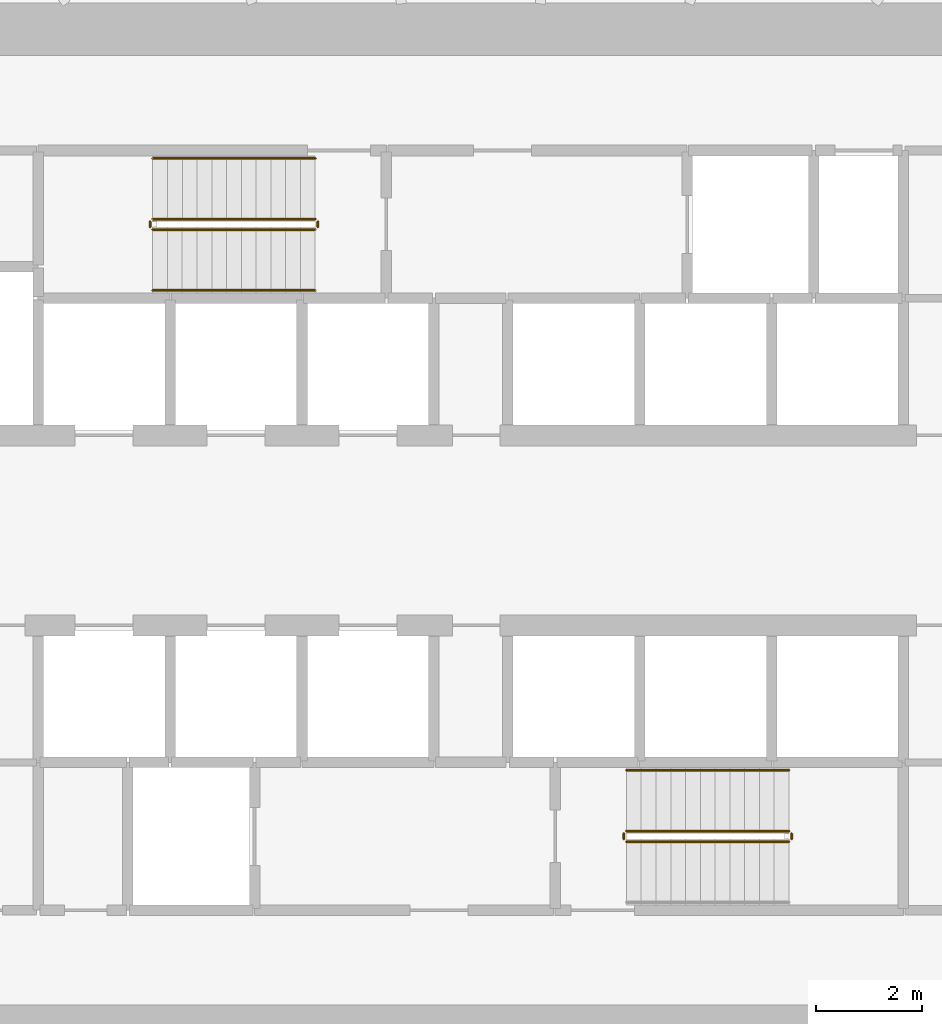
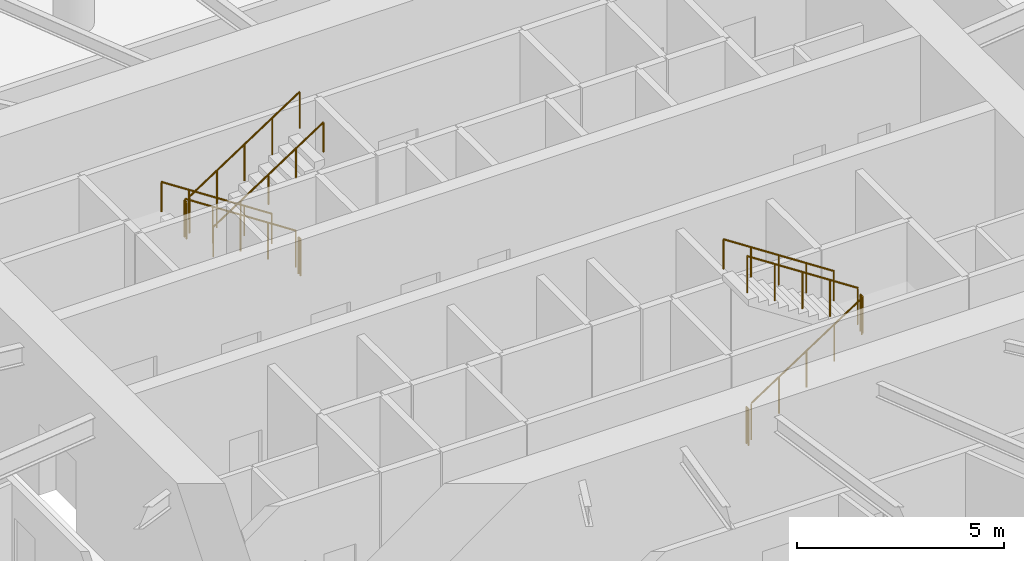
# One storey, part 17 of 18: 11 railings.
"""IFC4 building model written with IfcOpenShell, lengths in metres."""

from ifc_helpers import new_model, si_unit, direction, frame, origin, origin_2d, place, context, subcontext, project, spatial, circle, extrude, material, type_object, element, save


model = new_model("IFC4")

# Units and contexts
model_context = context("Model", 3, precision=1e-05, world=origin(), true_north=direction((0.0, 1.0)))
body_context = subcontext(model_context, "Body", "Model", "MODEL_VIEW")
ifc_project = project(units=[si_unit("LENGTHUNIT", "METRE"), si_unit("AREAUNIT", "SQUARE_METRE"), si_unit("VOLUMEUNIT", "CUBIC_METRE"), si_unit("PLANEANGLEUNIT", "RADIAN"), si_unit("MASSUNIT", "GRAM", prefix="KILO")], contexts=[model_context])

# Site, building, storey
site_placement = place(None, origin())
site = spatial("IfcSite", under=ifc_project, at=site_placement, CompositionType="ELEMENT")
building_placement = place(site_placement, origin())
building = spatial("IfcBuilding", under=site, at=building_placement, Name="Spindrift Exchange Tower", CompositionType="ELEMENT")
storey_placement = place(building_placement, frame((0.0, 0.0, 62.199951171875)))
storey = spatial("IfcBuildingStorey", under=building, at=storey_placement, Name="L14", CompositionType="ELEMENT", Elevation=62.199951171875)

# Railings
ifc_material_1 = material(Name="Steel balustrade", Category="steel")
railing_type_1 = type_object("IfcRailingType", Name="RL-STAIR-GUARD", PredefinedType="GUARDRAIL", material=ifc_material_1)
railing_1_placement = place(storey_placement, frame((49.050048828125, 53.89990234375, 0.183349609375)))
element("IfcRailing", 1, at=railing_1_placement, inside=storey, type_object=railing_type_1, Name="L14 ST1 stair guard 1", PredefinedType="GUARDRAIL", context=body_context, shape_type="SweptSolid", body=[
    extrude(circle(Radius=0.02392578125, at=origin_2d()), frame((0.0, 0.0, 1.076171875), z_axis=(-0.836633000464, 0.0, 0.547763838287), x_axis=(0.0, -1.0, 0.0)), (0.0, 0.0, 1.0), 3.681396484375),
    extrude(circle(Radius=0.02099609375, at=origin_2d()), origin(), (0.0, 0.0, 1.0), 1.052001953125),
    extrude(circle(Radius=0.02099609375, at=origin_2d()), frame((-0.77001953125, 0.0, 0.504150390625)), (0.0, 0.0, 1.0), 1.052001953125),
    extrude(circle(Radius=0.02099609375, at=origin_2d()), frame((-1.5400390625, 0.0, 1.00830078125)), (0.0, 0.0, 1.0), 1.052001953125),
    extrude(circle(Radius=0.02099609375, at=origin_2d()), frame((-2.31005859375, 0.0, 1.512451171875)), (0.0, 0.0, 1.0), 1.052001953125),
    extrude(circle(Radius=0.02099609375, at=origin_2d()), frame((-3.080078125, 0.0, 2.0166015625)), (0.0, 0.0, 1.0), 1.052001953125),
])
railing_2_placement = place(storey_placement, frame((45.919921875, 53.85009765625, 2.199951171875)))
element("IfcRailing", 2, at=railing_2_placement, inside=storey, type_object=railing_type_1, Name="L14 ST1 stair guard 2", PredefinedType="GUARDRAIL", context=body_context, shape_type="SweptSolid", body=[
    extrude(circle(Radius=0.02392578125, at=origin_2d()), frame((0.0, 0.0, 1.076171875), z_axis=(0.0, -1.0, 0.0), x_axis=(1.0, 0.0, 0.0)), (0.0, 0.0, 1.0), 0.10009765625),
    extrude(circle(Radius=0.02099609375, at=origin_2d()), origin(), (0.0, 0.0, 1.0), 1.052001953125),
    extrude(circle(Radius=0.02099609375, at=origin_2d()), frame((0.0, -0.10009765625, 0.0)), (0.0, 0.0, 1.0), 1.052001953125),
])
railing_3_placement = place(storey_placement, frame((45.969970703125, 53.699951171875, 2.38330078125)))
element("IfcRailing", 3, at=railing_3_placement, inside=storey, type_object=railing_type_1, Name="L14 ST1 stair guard 3", PredefinedType="GUARDRAIL", context=body_context, shape_type="SweptSolid", body=[
    extrude(circle(Radius=0.02392578125, at=origin_2d()), frame((0.0, 0.0, 1.076171875), z_axis=(0.836602609513, 0.0, 0.547810253423), x_axis=(0.0, 1.0, 0.0)), (0.0, 0.0, 1.0), 3.681640625),
    extrude(circle(Radius=0.02099609375, at=origin_2d()), origin(), (0.0, 0.0, 1.0), 1.052001953125),
    extrude(circle(Radius=0.02099609375, at=origin_2d()), frame((0.77001953125, 0.0, 0.504150390625)), (0.0, 0.0, 1.0), 1.052001953125),
    extrude(circle(Radius=0.02099609375, at=origin_2d()), frame((1.5400390625, 0.0, 1.00830078125)), (0.0, 0.0, 1.0), 1.052001953125),
    extrude(circle(Radius=0.02099609375, at=origin_2d()), frame((2.31005859375, 0.0, 1.5126953125)), (0.0, 0.0, 1.0), 1.052001953125),
    extrude(circle(Radius=0.02099609375, at=origin_2d()), frame((3.080078125, 0.0, 2.016845703125)), (0.0, 0.0, 1.0), 1.052001953125),
])
railing_4_placement = place(storey_placement, frame((49.10009765625, 53.85009765625, 0.0)))
element("IfcRailing", 4, at=railing_4_placement, inside=storey, type_object=railing_type_1, Name="L14 ST1 stair guard 4", PredefinedType="GUARDRAIL", context=body_context, shape_type="SweptSolid", body=[
    extrude(circle(Radius=0.02392578125, at=origin_2d()), frame((0.0, 0.0, 1.076171875), z_axis=(0.0, -1.0, 0.0), x_axis=(1.0, 0.0, 0.0)), (0.0, 0.0, 1.0), 0.10009765625),
    extrude(circle(Radius=0.02099609375, at=origin_2d()), origin(), (0.0, 0.0, 1.0), 1.052001953125),
    extrude(circle(Radius=0.02099609375, at=origin_2d()), frame((0.0, -0.10009765625, 0.0)), (0.0, 0.0, 1.0), 1.052001953125),
])
railing_5_placement = place(storey_placement, frame((54.949951171875, 42.10009765625, 0.183349609375)))
element("IfcRailing", 5, at=railing_5_placement, inside=storey, type_object=railing_type_1, Name="L14 ST2 stair guard 1", PredefinedType="GUARDRAIL", context=body_context, shape_type="SweptSolid", body=[
    extrude(circle(Radius=0.02392578125, at=origin_2d()), frame((0.0, 0.0, 1.076171875), z_axis=(0.836633000464, 0.0, 0.547763838287), x_axis=(0.0, 1.0, 0.0)), (0.0, 0.0, 1.0), 3.681396484375),
    extrude(circle(Radius=0.02099609375, at=origin_2d()), origin(), (0.0, 0.0, 1.0), 1.052001953125),
    extrude(circle(Radius=0.02099609375, at=origin_2d()), frame((0.77001953125, 0.0, 0.504150390625)), (0.0, 0.0, 1.0), 1.052001953125),
    extrude(circle(Radius=0.02099609375, at=origin_2d()), frame((1.5400390625, 0.0, 1.00830078125)), (0.0, 0.0, 1.0), 1.052001953125),
    extrude(circle(Radius=0.02099609375, at=origin_2d()), frame((2.31005859375, 0.0, 1.512451171875)), (0.0, 0.0, 1.0), 1.052001953125),
    extrude(circle(Radius=0.02099609375, at=origin_2d()), frame((3.080078125, 0.0, 2.0166015625)), (0.0, 0.0, 1.0), 1.052001953125),
])
railing_6_placement = place(storey_placement, frame((58.080078125, 42.14990234375, 2.199951171875)))
element("IfcRailing", 6, at=railing_6_placement, inside=storey, type_object=railing_type_1, Name="L14 ST2 stair guard 2", PredefinedType="GUARDRAIL", context=body_context, shape_type="SweptSolid", body=[
    extrude(circle(Radius=0.02392578125, at=origin_2d()), frame((0.0, 0.0, 1.076171875), z_axis=(0.0, 1.0, 0.0), x_axis=(-1.0, 0.0, 0.0)), (0.0, 0.0, 1.0), 0.10009765625),
    extrude(circle(Radius=0.02099609375, at=origin_2d()), origin(), (0.0, 0.0, 1.0), 1.052001953125),
    extrude(circle(Radius=0.02099609375, at=origin_2d()), frame((0.0, 0.10009765625, 0.0)), (0.0, 0.0, 1.0), 1.052001953125),
])
railing_7_placement = place(storey_placement, frame((58.030029296875, 42.300048828125, 2.38330078125)))
element("IfcRailing", 7, at=railing_7_placement, inside=storey, type_object=railing_type_1, Name="L14 ST2 stair guard 3", PredefinedType="GUARDRAIL", context=body_context, shape_type="SweptSolid", body=[
    extrude(circle(Radius=0.02392578125, at=origin_2d()), frame((0.0, 0.0, 1.076171875), z_axis=(-0.836602609513, 0.0, 0.547810253423), x_axis=(0.0, -1.0, 0.0)), (0.0, 0.0, 1.0), 3.681640625),
    extrude(circle(Radius=0.02099609375, at=origin_2d()), origin(), (0.0, 0.0, 1.0), 1.052001953125),
    extrude(circle(Radius=0.02099609375, at=origin_2d()), frame((-0.77001953125, 0.0, 0.504150390625)), (0.0, 0.0, 1.0), 1.052001953125),
    extrude(circle(Radius=0.02099609375, at=origin_2d()), frame((-1.5400390625, 0.0, 1.00830078125)), (0.0, 0.0, 1.0), 1.052001953125),
    extrude(circle(Radius=0.02099609375, at=origin_2d()), frame((-2.31005859375, 0.0, 1.5126953125)), (0.0, 0.0, 1.0), 1.052001953125),
    extrude(circle(Radius=0.02099609375, at=origin_2d()), frame((-3.080078125, 0.0, 2.016845703125)), (0.0, 0.0, 1.0), 1.052001953125),
])
railing_8_placement = place(storey_placement, frame((54.89990234375, 42.14990234375, 0.0)))
element("IfcRailing", 8, at=railing_8_placement, inside=storey, type_object=railing_type_1, Name="L14 ST2 stair guard 4", PredefinedType="GUARDRAIL", context=body_context, shape_type="SweptSolid", body=[
    extrude(circle(Radius=0.02392578125, at=origin_2d()), frame((0.0, 0.0, 1.076171875), z_axis=(0.0, 1.0, 0.0), x_axis=(-1.0, 0.0, 0.0)), (0.0, 0.0, 1.0), 0.10009765625),
    extrude(circle(Radius=0.02099609375, at=origin_2d()), origin(), (0.0, 0.0, 1.0), 1.052001953125),
    extrude(circle(Radius=0.02099609375, at=origin_2d()), frame((0.0, 0.10009765625, 0.0)), (0.0, 0.0, 1.0), 1.052001953125),
])
ifc_material_2 = material(Name="Steel tubular handrail", Category="steel")
railing_type_2 = type_object("IfcRailingType", Name="RL-STAIR-HAND", PredefinedType="HANDRAIL", material=ifc_material_2)
railing_9_placement = place(storey_placement, frame((49.050048828125, 55.050048828125, 0.183349609375)))
element("IfcRailing", 9, at=railing_9_placement, inside=storey, type_object=railing_type_2, Name="L14 ST1 stair handrail 1", PredefinedType="HANDRAIL", context=body_context, shape_type="SweptSolid", body=[
    extrude(circle(Radius=0.02392578125, at=origin_2d()), frame((0.0, 0.0, 0.8759765625), z_axis=(-0.836633000464, 0.0, 0.547763838287), x_axis=(0.0, -1.0, 0.0)), (0.0, 0.0, 1.0), 3.681396484375),
    extrude(circle(Radius=0.02099609375, at=origin_2d()), origin(), (0.0, 0.0, 1.0), 0.851806640625),
    extrude(circle(Radius=0.02099609375, at=origin_2d()), frame((-0.77001953125, 0.0, 0.504150390625)), (0.0, 0.0, 1.0), 0.851806640625),
    extrude(circle(Radius=0.02099609375, at=origin_2d()), frame((-1.5400390625, 0.0, 1.00830078125)), (0.0, 0.0, 1.0), 0.851806640625),
    extrude(circle(Radius=0.02099609375, at=origin_2d()), frame((-2.31005859375, 0.0, 1.512451171875)), (0.0, 0.0, 1.0), 0.851806640625),
    extrude(circle(Radius=0.02099609375, at=origin_2d()), frame((-3.080078125, 0.0, 2.0166015625)), (0.0, 0.0, 1.0), 0.851806640625),
])
railing_10_placement = place(storey_placement, frame((45.969970703125, 52.550048828125, 2.38330078125)))
element("IfcRailing", 10, at=railing_10_placement, inside=storey, type_object=railing_type_2, Name="L14 ST1 stair handrail 2", PredefinedType="HANDRAIL", context=body_context, shape_type="SweptSolid", body=[
    extrude(circle(Radius=0.02392578125, at=origin_2d()), frame((0.0, 0.0, 0.8759765625), z_axis=(0.836602609513, 0.0, 0.547810253423), x_axis=(0.0, 1.0, 0.0)), (0.0, 0.0, 1.0), 3.681640625),
    extrude(circle(Radius=0.02099609375, at=origin_2d()), origin(), (0.0, 0.0, 1.0), 0.851806640625),
    extrude(circle(Radius=0.02099609375, at=origin_2d()), frame((0.77001953125, 0.0, 0.504150390625)), (0.0, 0.0, 1.0), 0.851806640625),
    extrude(circle(Radius=0.02099609375, at=origin_2d()), frame((1.5400390625, 0.0, 1.00830078125)), (0.0, 0.0, 1.0), 0.851806640625),
    extrude(circle(Radius=0.02099609375, at=origin_2d()), frame((2.31005859375, 0.0, 1.5126953125)), (0.0, 0.0, 1.0), 0.851806640625),
    extrude(circle(Radius=0.02099609375, at=origin_2d()), frame((3.080078125, 0.0, 2.016845703125)), (0.0, 0.0, 1.0), 0.851806640625),
])
railing_11_placement = place(storey_placement, frame((58.030029296875, 43.449951171875, 2.38330078125)))
element("IfcRailing", 11, at=railing_11_placement, inside=storey, type_object=railing_type_2, Name="L14 ST2 stair handrail 2", PredefinedType="HANDRAIL", context=body_context, shape_type="SweptSolid", body=[
    extrude(circle(Radius=0.02392578125, at=origin_2d()), frame((0.0, 0.0, 0.8759765625), z_axis=(-0.836602609513, 0.0, 0.547810253423), x_axis=(0.0, -1.0, 0.0)), (0.0, 0.0, 1.0), 3.681640625),
    extrude(circle(Radius=0.02099609375, at=origin_2d()), origin(), (0.0, 0.0, 1.0), 0.851806640625),
    extrude(circle(Radius=0.02099609375, at=origin_2d()), frame((-0.77001953125, 0.0, 0.504150390625)), (0.0, 0.0, 1.0), 0.851806640625),
    extrude(circle(Radius=0.02099609375, at=origin_2d()), frame((-1.5400390625, 0.0, 1.00830078125)), (0.0, 0.0, 1.0), 0.851806640625),
    extrude(circle(Radius=0.02099609375, at=origin_2d()), frame((-2.31005859375, 0.0, 1.5126953125)), (0.0, 0.0, 1.0), 0.851806640625),
    extrude(circle(Radius=0.02099609375, at=origin_2d()), frame((-3.080078125, 0.0, 2.016845703125)), (0.0, 0.0, 1.0), 0.851806640625),
])

save(model, "model.ifc")
